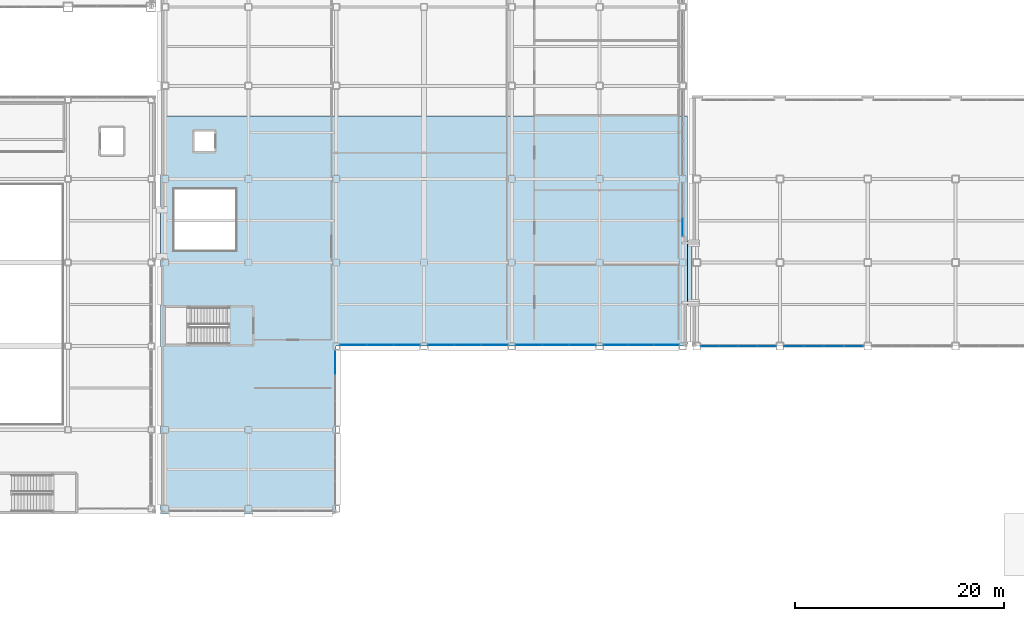
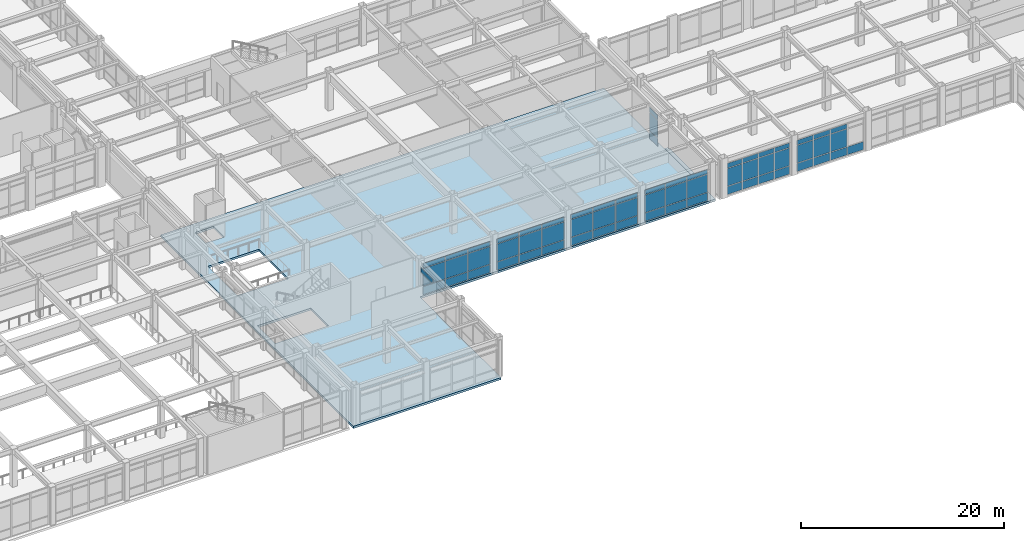
# One storey, part 127 of 172: 62 plates, 2 slabs, 8 elements without a shape of their own.
"""IFC4 building model written with IfcOpenShell, lengths in metres."""

from ifc_helpers import new_model, si_unit, direction, frame, origin, origin_2d, place, context, subcontext, project, spatial, polyline, rectangle, outline, extrude, material, layer, layer_set, type_object, element, aggregate, save


model = new_model("IFC4")

# Units and contexts
model_context = context("Model", 3, precision=1e-05, world=origin(), true_north=direction((0.0, 1.0)))
body_context = subcontext(model_context, "Body", "Model", "MODEL_VIEW")
ifc_project = project(units=[si_unit("LENGTHUNIT", "METRE"), si_unit("AREAUNIT", "SQUARE_METRE"), si_unit("VOLUMEUNIT", "CUBIC_METRE"), si_unit("PLANEANGLEUNIT", "RADIAN"), si_unit("MASSUNIT", "GRAM", prefix="KILO")], contexts=[model_context])

# Site, building, storey
site_placement = place(None, origin())
site = spatial("IfcSite", under=ifc_project, at=site_placement, CompositionType="ELEMENT")
building_placement = place(site_placement, origin())
building = spatial("IfcBuilding", under=site, at=building_placement, Name="Kazehara Bluff Congress Hotel", CompositionType="ELEMENT")
storey_placement = place(building_placement, frame((0.0, 0.0, 5.39990234375)))
storey = spatial("IfcBuildingStorey", under=building, at=storey_placement, Name="L01", CompositionType="ELEMENT", Elevation=5.39990234375)

# Curtain wall, plates
ifc_material_1 = material(Name="Anodised aluminium", Category="aluminium")
ifc_layer_1 = layer(ifc_material_1, 0.159912109375)
ifc_layer_set_1 = layer_set([ifc_layer_1], Name="Anodised aluminium")
curtain_wall_type_1 = type_object("IfcCurtainWallType", Name="TP-CW-53", PredefinedType="NOTDEFINED", material=ifc_layer_set_1)
curtain_wall_1_placement = place(storey_placement, origin())
curtain_wall_1 = element("IfcCurtainWall", 1, at=curtain_wall_1_placement, inside=storey, type_object=curtain_wall_type_1, Name="L01 curtain wall CW-53 CW-V4-L01-X10920-2650", PredefinedType="NOTDEFINED")
ifc_material_2 = material(Name="Insulated low-E double glazing", Category="glass")
ifc_layer_2 = layer(ifc_material_2, 0.028076171875)
ifc_layer_set_2 = layer_set([ifc_layer_2], Name="Insulated low-E double glazing")
plate_type = type_object("IfcPlateType", Name="TP-CWP-01", PredefinedType="CURTAIN_PANEL", material=ifc_layer_set_2)
plate_1_placement = place(storey_placement, frame((109.199951171875, 27.37744140625, 0.06005859375), z_axis=(0.0, 0.0, 1.0), x_axis=(0.0, 1.0, 0.0)))
plate_1 = element("IfcPlate", 2, at=plate_1_placement, type_object=plate_type, Name="CW-53 panel 1.1", PredefinedType="CURTAIN_PANEL", context=body_context, shape_type="SweptSolid", body=[
    extrude(rectangle(XDim=1.635009765625, YDim=0.028076171875, at=origin_2d()), origin(), (0.0, 0.0, 1.0), 0.9599609375),
])
plate_2_placement = place(storey_placement, frame((109.199951171875, 27.37744140625, 1.080078125), z_axis=(0.0, 0.0, 1.0), x_axis=(0.0, 1.0, 0.0)))
plate_2 = element("IfcPlate", 3, at=plate_2_placement, type_object=plate_type, Name="CW-53 panel 1.2", PredefinedType="CURTAIN_PANEL", context=body_context, shape_type="SweptSolid", body=[
    extrude(rectangle(XDim=1.635009765625, YDim=0.028076171875, at=origin_2d()), origin(), (0.0, 0.0, 1.0), 2.114990234375),
])
plate_3_placement = place(storey_placement, frame((109.199951171875, 27.37744140625, 3.255126953125), z_axis=(0.0, 0.0, 1.0), x_axis=(0.0, 1.0, 0.0)))
plate_3 = element("IfcPlate", 4, at=plate_3_placement, type_object=plate_type, Name="CW-53 panel 1.3", PredefinedType="CURTAIN_PANEL", context=body_context, shape_type="SweptSolid", body=[
    extrude(rectangle(XDim=1.635009765625, YDim=0.028076171875, at=origin_2d()), origin(), (0.0, 0.0, 1.0), 0.56005859375),
])
aggregate(curtain_wall_1, [plate_1, plate_2, plate_3])

ifc_material_3 = material(Name="Anodised aluminium", Category="aluminium")
ifc_layer_3 = layer(ifc_material_3, 0.159912109375)
ifc_layer_set_3 = layer_set([ifc_layer_3], Name="Anodised aluminium")
curtain_wall_type_2 = type_object("IfcCurtainWallType", Name="TP-CW-78", PredefinedType="NOTDEFINED", material=ifc_layer_set_3)
curtain_wall_2_placement = place(storey_placement, origin())
curtain_wall_2 = element("IfcCurtainWall", 5, at=curtain_wall_2_placement, inside=storey, type_object=curtain_wall_type_2, Name="L01 curtain wall CW-78 CW-V5-L01-Y1600-11090", PredefinedType="NOTDEFINED")
plate_4_placement = place(storey_placement, frame((111.822509765625, 16.0, 0.06494140625), z_axis=(0.0, 0.0, 1.0), x_axis=(1.0, 0.0, 0.0)))
plate_4 = element("IfcPlate", 6, at=plate_4_placement, type_object=plate_type, Name="CW-78 panel 1.1", PredefinedType="CURTAIN_PANEL", context=body_context, shape_type="SweptSolid", body=[
    extrude(rectangle(XDim=1.715087890625, YDim=0.028076171875, at=origin_2d()), origin(), (0.0, 0.0, 1.0), 0.952392578125),
])
plate_5_placement = place(storey_placement, frame((111.822509765625, 16.0, 1.08251953125), z_axis=(0.0, 0.0, 1.0), x_axis=(1.0, 0.0, 0.0)))
plate_5 = element("IfcPlate", 7, at=plate_5_placement, type_object=plate_type, Name="CW-78 panel 1.2", PredefinedType="CURTAIN_PANEL", context=body_context, shape_type="SweptSolid", body=[
    extrude(rectangle(XDim=1.715087890625, YDim=0.028076171875, at=origin_2d()), origin(), (0.0, 0.0, 1.0), 2.110107421875),
])
plate_6_placement = place(storey_placement, frame((111.822509765625, 16.0, 3.2578125), z_axis=(0.0, 0.0, 1.0), x_axis=(1.0, 0.0, 0.0)))
plate_6 = element("IfcPlate", 8, at=plate_6_placement, type_object=plate_type, Name="CW-78 panel 1.3", PredefinedType="CURTAIN_PANEL", context=body_context, shape_type="SweptSolid", body=[
    extrude(rectangle(XDim=1.715087890625, YDim=0.028076171875, at=origin_2d()), origin(), (0.0, 0.0, 1.0), 0.552490234375),
])
plate_7_placement = place(storey_placement, frame((113.61865234375, 16.0, 0.06494140625), z_axis=(0.0, 0.0, 1.0), x_axis=(1.0, 0.0, 0.0)))
plate_7 = element("IfcPlate", 9, at=plate_7_placement, type_object=plate_type, Name="CW-78 panel 2.1", PredefinedType="CURTAIN_PANEL", context=body_context, shape_type="SweptSolid", body=[
    extrude(rectangle(XDim=1.74755859375, YDim=0.028076171875, at=origin_2d()), origin(), (0.0, 0.0, 1.0), 0.952392578125),
])
plate_8_placement = place(storey_placement, frame((113.61865234375, 16.0, 1.08251953125), z_axis=(0.0, 0.0, 1.0), x_axis=(1.0, 0.0, 0.0)))
plate_8 = element("IfcPlate", 10, at=plate_8_placement, type_object=plate_type, Name="CW-78 panel 2.2", PredefinedType="CURTAIN_PANEL", context=body_context, shape_type="SweptSolid", body=[
    extrude(rectangle(XDim=1.74755859375, YDim=0.028076171875, at=origin_2d()), origin(), (0.0, 0.0, 1.0), 2.110107421875),
])
plate_9_placement = place(storey_placement, frame((113.61865234375, 16.0, 3.2578125), z_axis=(0.0, 0.0, 1.0), x_axis=(1.0, 0.0, 0.0)))
plate_9 = element("IfcPlate", 11, at=plate_9_placement, type_object=plate_type, Name="CW-78 panel 2.3", PredefinedType="CURTAIN_PANEL", context=body_context, shape_type="SweptSolid", body=[
    extrude(rectangle(XDim=1.74755859375, YDim=0.028076171875, at=origin_2d()), origin(), (0.0, 0.0, 1.0), 0.552490234375),
])
plate_10_placement = place(storey_placement, frame((115.43115234375, 16.0, 0.06494140625), z_axis=(0.0, 0.0, 1.0), x_axis=(1.0, 0.0, 0.0)))
plate_10 = element("IfcPlate", 12, at=plate_10_placement, type_object=plate_type, Name="CW-78 panel 3.1", PredefinedType="CURTAIN_PANEL", context=body_context, shape_type="SweptSolid", body=[
    extrude(rectangle(XDim=1.74755859375, YDim=0.028076171875, at=origin_2d()), origin(), (0.0, 0.0, 1.0), 0.952392578125),
])
plate_11_placement = place(storey_placement, frame((115.43115234375, 16.0, 1.08251953125), z_axis=(0.0, 0.0, 1.0), x_axis=(1.0, 0.0, 0.0)))
plate_11 = element("IfcPlate", 13, at=plate_11_placement, type_object=plate_type, Name="CW-78 panel 3.2", PredefinedType="CURTAIN_PANEL", context=body_context, shape_type="SweptSolid", body=[
    extrude(rectangle(XDim=1.74755859375, YDim=0.028076171875, at=origin_2d()), origin(), (0.0, 0.0, 1.0), 2.110107421875),
])
plate_12_placement = place(storey_placement, frame((115.43115234375, 16.0, 3.2578125), z_axis=(0.0, 0.0, 1.0), x_axis=(1.0, 0.0, 0.0)))
plate_12 = element("IfcPlate", 14, at=plate_12_placement, type_object=plate_type, Name="CW-78 panel 3.3", PredefinedType="CURTAIN_PANEL", context=body_context, shape_type="SweptSolid", body=[
    extrude(rectangle(XDim=1.74755859375, YDim=0.028076171875, at=origin_2d()), origin(), (0.0, 0.0, 1.0), 0.552490234375),
])
plate_13_placement = place(storey_placement, frame((117.2275390625, 16.0, 0.06494140625), z_axis=(0.0, 0.0, 1.0), x_axis=(1.0, 0.0, 0.0)))
plate_13 = element("IfcPlate", 15, at=plate_13_placement, type_object=plate_type, Name="CW-78 panel 4.1", PredefinedType="CURTAIN_PANEL", context=body_context, shape_type="SweptSolid", body=[
    extrude(rectangle(XDim=1.715087890625, YDim=0.028076171875, at=origin_2d()), origin(), (0.0, 0.0, 1.0), 0.952392578125),
])
plate_14_placement = place(storey_placement, frame((117.2275390625, 16.0, 1.08251953125), z_axis=(0.0, 0.0, 1.0), x_axis=(1.0, 0.0, 0.0)))
plate_14 = element("IfcPlate", 16, at=plate_14_placement, type_object=plate_type, Name="CW-78 panel 4.2", PredefinedType="CURTAIN_PANEL", context=body_context, shape_type="SweptSolid", body=[
    extrude(rectangle(XDim=1.715087890625, YDim=0.028076171875, at=origin_2d()), origin(), (0.0, 0.0, 1.0), 2.110107421875),
])
plate_15_placement = place(storey_placement, frame((117.2275390625, 16.0, 3.2578125), z_axis=(0.0, 0.0, 1.0), x_axis=(1.0, 0.0, 0.0)))
plate_15 = element("IfcPlate", 17, at=plate_15_placement, type_object=plate_type, Name="CW-78 panel 4.3", PredefinedType="CURTAIN_PANEL", context=body_context, shape_type="SweptSolid", body=[
    extrude(rectangle(XDim=1.715087890625, YDim=0.028076171875, at=origin_2d()), origin(), (0.0, 0.0, 1.0), 0.552490234375),
])
aggregate(curtain_wall_2, [plate_4, plate_5, plate_6, plate_7, plate_8, plate_9, plate_10, plate_11, plate_12, plate_13, plate_14, plate_15])

ifc_material_4 = material(Name="Anodised aluminium", Category="aluminium")
ifc_layer_4 = layer(ifc_material_4, 0.159912109375)
ifc_layer_set_4 = layer_set([ifc_layer_4], Name="Anodised aluminium")
curtain_wall_type_3 = type_object("IfcCurtainWallType", Name="TP-CW-79", PredefinedType="NOTDEFINED", material=ifc_layer_set_4)
curtain_wall_3_placement = place(storey_placement, origin())
curtain_wall_3 = element("IfcCurtainWall", 18, at=curtain_wall_3_placement, inside=storey, type_object=curtain_wall_type_3, Name="L01 curtain wall CW-79 CW-V5-L01-Y1600-11885", PredefinedType="NOTDEFINED")
plate_16_placement = place(storey_placement, frame((119.828857421875, 16.0, 0.06494140625), z_axis=(0.0, 0.0, 1.0), x_axis=(1.0, 0.0, 0.0)))
plate_16 = element("IfcPlate", 19, at=plate_16_placement, type_object=plate_type, Name="CW-79 panel 1.1", PredefinedType="CURTAIN_PANEL", context=body_context, shape_type="SweptSolid", body=[
    extrude(rectangle(XDim=1.827392578125, YDim=0.028076171875, at=origin_2d()), origin(), (0.0, 0.0, 1.0), 0.952392578125),
])
plate_17_placement = place(storey_placement, frame((119.828857421875, 16.0, 1.08251953125), z_axis=(0.0, 0.0, 1.0), x_axis=(1.0, 0.0, 0.0)))
plate_17 = element("IfcPlate", 20, at=plate_17_placement, type_object=plate_type, Name="CW-79 panel 1.2", PredefinedType="CURTAIN_PANEL", context=body_context, shape_type="SweptSolid", body=[
    extrude(rectangle(XDim=1.827392578125, YDim=0.028076171875, at=origin_2d()), origin(), (0.0, 0.0, 1.0), 2.110107421875),
])
plate_18_placement = place(storey_placement, frame((119.828857421875, 16.0, 3.2578125), z_axis=(0.0, 0.0, 1.0), x_axis=(1.0, 0.0, 0.0)))
plate_18 = element("IfcPlate", 21, at=plate_18_placement, type_object=plate_type, Name="CW-79 panel 1.3", PredefinedType="CURTAIN_PANEL", context=body_context, shape_type="SweptSolid", body=[
    extrude(rectangle(XDim=1.827392578125, YDim=0.028076171875, at=origin_2d()), origin(), (0.0, 0.0, 1.0), 0.552490234375),
])
plate_19_placement = place(storey_placement, frame((121.737548828125, 16.0, 0.06494140625), z_axis=(0.0, 0.0, 1.0), x_axis=(1.0, 0.0, 0.0)))
plate_19 = element("IfcPlate", 22, at=plate_19_placement, type_object=plate_type, Name="CW-79 panel 2.1", PredefinedType="CURTAIN_PANEL", context=body_context, shape_type="SweptSolid", body=[
    extrude(rectangle(XDim=1.860107421875, YDim=0.028076171875, at=origin_2d()), origin(), (0.0, 0.0, 1.0), 0.952392578125),
])
plate_20_placement = place(storey_placement, frame((121.737548828125, 16.0, 1.08251953125), z_axis=(0.0, 0.0, 1.0), x_axis=(1.0, 0.0, 0.0)))
plate_20 = element("IfcPlate", 23, at=plate_20_placement, type_object=plate_type, Name="CW-79 panel 2.2", PredefinedType="CURTAIN_PANEL", context=body_context, shape_type="SweptSolid", body=[
    extrude(rectangle(XDim=1.860107421875, YDim=0.028076171875, at=origin_2d()), origin(), (0.0, 0.0, 1.0), 2.110107421875),
])
plate_21_placement = place(storey_placement, frame((121.737548828125, 16.0, 3.2578125), z_axis=(0.0, 0.0, 1.0), x_axis=(1.0, 0.0, 0.0)))
plate_21 = element("IfcPlate", 24, at=plate_21_placement, type_object=plate_type, Name="CW-79 panel 2.3", PredefinedType="CURTAIN_PANEL", context=body_context, shape_type="SweptSolid", body=[
    extrude(rectangle(XDim=1.860107421875, YDim=0.028076171875, at=origin_2d()), origin(), (0.0, 0.0, 1.0), 0.552490234375),
])
plate_22_placement = place(storey_placement, frame((123.66259765625, 16.0, 0.06494140625), z_axis=(0.0, 0.0, 1.0), x_axis=(1.0, 0.0, 0.0)))
plate_22 = element("IfcPlate", 25, at=plate_22_placement, type_object=plate_type, Name="CW-79 panel 3.1", PredefinedType="CURTAIN_PANEL", context=body_context, shape_type="SweptSolid", body=[
    extrude(rectangle(XDim=1.860107421875, YDim=0.028076171875, at=origin_2d()), origin(), (0.0, 0.0, 1.0), 0.952392578125),
])
plate_23_placement = place(storey_placement, frame((123.66259765625, 16.0, 1.08251953125), z_axis=(0.0, 0.0, 1.0), x_axis=(1.0, 0.0, 0.0)))
plate_23 = element("IfcPlate", 26, at=plate_23_placement, type_object=plate_type, Name="CW-79 panel 3.2", PredefinedType="CURTAIN_PANEL", context=body_context, shape_type="SweptSolid", body=[
    extrude(rectangle(XDim=1.860107421875, YDim=0.028076171875, at=origin_2d()), origin(), (0.0, 0.0, 1.0), 2.110107421875),
])
plate_24_placement = place(storey_placement, frame((123.66259765625, 16.0, 3.2578125), z_axis=(0.0, 0.0, 1.0), x_axis=(1.0, 0.0, 0.0)))
plate_24 = element("IfcPlate", 27, at=plate_24_placement, type_object=plate_type, Name="CW-79 panel 3.3", PredefinedType="CURTAIN_PANEL", context=body_context, shape_type="SweptSolid", body=[
    extrude(rectangle(XDim=1.860107421875, YDim=0.028076171875, at=origin_2d()), origin(), (0.0, 0.0, 1.0), 0.552490234375),
])
plate_25_placement = place(storey_placement, frame((125.5712890625, 16.0, 0.06494140625), z_axis=(0.0, 0.0, 1.0), x_axis=(1.0, 0.0, 0.0)))
plate_25 = element("IfcPlate", 28, at=plate_25_placement, type_object=plate_type, Name="CW-79 panel 4.1", PredefinedType="CURTAIN_PANEL", context=body_context, shape_type="SweptSolid", body=[
    extrude(rectangle(XDim=1.827392578125, YDim=0.028076171875, at=origin_2d()), origin(), (0.0, 0.0, 1.0), 0.952392578125),
])
aggregate(curtain_wall_3, [plate_16, plate_17, plate_18, plate_19, plate_20, plate_21, plate_22, plate_23, plate_24, plate_25])

# Curtain wall, plate
ifc_material_5 = material(Name="Anodised aluminium", Category="aluminium")
ifc_layer_5 = layer(ifc_material_5, 0.159912109375)
ifc_layer_set_5 = layer_set([ifc_layer_5], Name="Anodised aluminium")
curtain_wall_type_4 = type_object("IfcCurtainWallType", Name="TP-CW-56", PredefinedType="NOTDEFINED", material=ifc_layer_set_5)
curtain_wall_4_placement = place(storey_placement, origin())
curtain_wall_4 = element("IfcCurtainWall", 29, at=curtain_wall_4_placement, inside=storey, type_object=curtain_wall_type_4, Name="L01 curtain wall CW-56 CW-ENC-V4-L01-7595-1200", PredefinedType="NOTDEFINED")
plate_26_placement = place(storey_placement, frame((75.949951171875, 14.433837890625, 3.2578125), z_axis=(0.0, 0.0, 1.0), x_axis=(0.0, -1.0, 0.0)))
plate_26 = element("IfcPlate", 30, at=plate_26_placement, type_object=plate_type, Name="CW-56 panel 1.3", PredefinedType="CURTAIN_PANEL", context=body_context, shape_type="SweptSolid", body=[
    extrude(rectangle(XDim=2.3525390625, YDim=0.028076171875, at=origin_2d()), origin(), (0.0, 0.0, 1.0), 0.552490234375),
])
aggregate(curtain_wall_4, [plate_26])

# Curtain wall, plates
ifc_material_6 = material(Name="Anodised aluminium", Category="aluminium")
ifc_layer_6 = layer(ifc_material_6, 0.159912109375)
ifc_layer_set_6 = layer_set([ifc_layer_6], Name="Anodised aluminium")
curtain_wall_type_5 = type_object("IfcCurtainWallType", Name="TP-CW-24", PredefinedType="NOTDEFINED", material=ifc_layer_set_6)
curtain_wall_5_placement = place(storey_placement, origin())
curtain_wall_5 = element("IfcCurtainWall", 31, at=curtain_wall_5_placement, inside=storey, type_object=curtain_wall_type_5, Name="L01 curtain wall CW-24 CW-ENC-V4-L01-8025-1610", PredefinedType="NOTDEFINED")
plate_27_placement = place(storey_placement, frame((82.817138671875, 16.10009765625, 0.06494140625), z_axis=(0.0, 0.0, 1.0), x_axis=(-1.0, 0.0, 0.0)))
plate_27 = element("IfcPlate", 32, at=plate_27_placement, type_object=plate_type, Name="CW-24 panel 1.1", PredefinedType="CURTAIN_PANEL", context=body_context, shape_type="SweptSolid", body=[
    extrude(rectangle(XDim=2.48583984375, YDim=0.028076171875, at=origin_2d()), origin(), (0.0, 0.0, 1.0), 0.952392578125),
])
plate_28_placement = place(storey_placement, frame((82.817138671875, 16.10009765625, 1.08251953125), z_axis=(0.0, 0.0, 1.0), x_axis=(-1.0, 0.0, 0.0)))
plate_28 = element("IfcPlate", 33, at=plate_28_placement, type_object=plate_type, Name="CW-24 panel 1.2", PredefinedType="CURTAIN_PANEL", context=body_context, shape_type="SweptSolid", body=[
    extrude(rectangle(XDim=2.48583984375, YDim=0.028076171875, at=origin_2d()), origin(), (0.0, 0.0, 1.0), 2.110107421875),
])
plate_29_placement = place(storey_placement, frame((82.817138671875, 16.10009765625, 3.2578125), z_axis=(0.0, 0.0, 1.0), x_axis=(-1.0, 0.0, 0.0)))
plate_29 = element("IfcPlate", 34, at=plate_29_placement, type_object=plate_type, Name="CW-24 panel 1.3", PredefinedType="CURTAIN_PANEL", context=body_context, shape_type="SweptSolid", body=[
    extrude(rectangle(XDim=2.48583984375, YDim=0.028076171875, at=origin_2d()), origin(), (0.0, 0.0, 1.0), 0.552490234375),
])
plate_30_placement = place(storey_placement, frame((80.25, 16.10009765625, 0.06494140625), z_axis=(0.0, 0.0, 1.0), x_axis=(-1.0, 0.0, 0.0)))
plate_30 = element("IfcPlate", 35, at=plate_30_placement, type_object=plate_type, Name="CW-24 panel 2.1", PredefinedType="CURTAIN_PANEL", context=body_context, shape_type="SweptSolid", body=[
    extrude(rectangle(XDim=2.518310546875, YDim=0.028076171875, at=origin_2d()), origin(), (0.0, 0.0, 1.0), 0.952392578125),
])
plate_31_placement = place(storey_placement, frame((80.25, 16.10009765625, 1.08251953125), z_axis=(0.0, 0.0, 1.0), x_axis=(-1.0, 0.0, 0.0)))
plate_31 = element("IfcPlate", 36, at=plate_31_placement, type_object=plate_type, Name="CW-24 panel 2.2", PredefinedType="CURTAIN_PANEL", context=body_context, shape_type="SweptSolid", body=[
    extrude(rectangle(XDim=2.518310546875, YDim=0.028076171875, at=origin_2d()), origin(), (0.0, 0.0, 1.0), 2.110107421875),
])
plate_32_placement = place(storey_placement, frame((80.25, 16.10009765625, 3.2578125), z_axis=(0.0, 0.0, 1.0), x_axis=(-1.0, 0.0, 0.0)))
plate_32 = element("IfcPlate", 37, at=plate_32_placement, type_object=plate_type, Name="CW-24 panel 2.3", PredefinedType="CURTAIN_PANEL", context=body_context, shape_type="SweptSolid", body=[
    extrude(rectangle(XDim=2.518310546875, YDim=0.028076171875, at=origin_2d()), origin(), (0.0, 0.0, 1.0), 0.552490234375),
])
plate_33_placement = place(storey_placement, frame((77.682861328125, 16.10009765625, 0.06494140625), z_axis=(0.0, 0.0, 1.0), x_axis=(-1.0, 0.0, 0.0)))
plate_33 = element("IfcPlate", 38, at=plate_33_placement, type_object=plate_type, Name="CW-24 panel 3.1", PredefinedType="CURTAIN_PANEL", context=body_context, shape_type="SweptSolid", body=[
    extrude(rectangle(XDim=2.48583984375, YDim=0.028076171875, at=origin_2d()), origin(), (0.0, 0.0, 1.0), 0.952392578125),
])
plate_34_placement = place(storey_placement, frame((77.682861328125, 16.10009765625, 1.08251953125), z_axis=(0.0, 0.0, 1.0), x_axis=(-1.0, 0.0, 0.0)))
plate_34 = element("IfcPlate", 39, at=plate_34_placement, type_object=plate_type, Name="CW-24 panel 3.2", PredefinedType="CURTAIN_PANEL", context=body_context, shape_type="SweptSolid", body=[
    extrude(rectangle(XDim=2.48583984375, YDim=0.028076171875, at=origin_2d()), origin(), (0.0, 0.0, 1.0), 2.110107421875),
])
plate_35_placement = place(storey_placement, frame((77.682861328125, 16.10009765625, 3.2578125), z_axis=(0.0, 0.0, 1.0), x_axis=(-1.0, 0.0, 0.0)))
plate_35 = element("IfcPlate", 40, at=plate_35_placement, type_object=plate_type, Name="CW-24 panel 3.3", PredefinedType="CURTAIN_PANEL", context=body_context, shape_type="SweptSolid", body=[
    extrude(rectangle(XDim=2.48583984375, YDim=0.028076171875, at=origin_2d()), origin(), (0.0, 0.0, 1.0), 0.552490234375),
])
aggregate(curtain_wall_5, [plate_27, plate_28, plate_29, plate_30, plate_31, plate_32, plate_33, plate_34, plate_35])

curtain_wall_6_placement = place(storey_placement, origin())
curtain_wall_6 = element("IfcCurtainWall", 41, at=curtain_wall_6_placement, inside=storey, type_object=curtain_wall_type_5, Name="L01 curtain wall CW-24 CW-ENC-V4-L01-8865-1610", PredefinedType="NOTDEFINED")
plate_36_placement = place(storey_placement, frame((91.217041015625, 16.10009765625, 0.06494140625), z_axis=(0.0, 0.0, 1.0), x_axis=(-1.0, 0.0, 0.0)))
plate_36 = element("IfcPlate", 42, at=plate_36_placement, type_object=plate_type, Name="CW-24 panel 1.1", PredefinedType="CURTAIN_PANEL", context=body_context, shape_type="SweptSolid", body=[
    extrude(rectangle(XDim=2.48583984375, YDim=0.028076171875, at=origin_2d()), origin(), (0.0, 0.0, 1.0), 0.952392578125),
])
plate_37_placement = place(storey_placement, frame((91.217041015625, 16.10009765625, 1.08251953125), z_axis=(0.0, 0.0, 1.0), x_axis=(-1.0, 0.0, 0.0)))
plate_37 = element("IfcPlate", 43, at=plate_37_placement, type_object=plate_type, Name="CW-24 panel 1.2", PredefinedType="CURTAIN_PANEL", context=body_context, shape_type="SweptSolid", body=[
    extrude(rectangle(XDim=2.48583984375, YDim=0.028076171875, at=origin_2d()), origin(), (0.0, 0.0, 1.0), 2.110107421875),
])
plate_38_placement = place(storey_placement, frame((91.217041015625, 16.10009765625, 3.2578125), z_axis=(0.0, 0.0, 1.0), x_axis=(-1.0, 0.0, 0.0)))
plate_38 = element("IfcPlate", 44, at=plate_38_placement, type_object=plate_type, Name="CW-24 panel 1.3", PredefinedType="CURTAIN_PANEL", context=body_context, shape_type="SweptSolid", body=[
    extrude(rectangle(XDim=2.48583984375, YDim=0.028076171875, at=origin_2d()), origin(), (0.0, 0.0, 1.0), 0.552490234375),
])
plate_39_placement = place(storey_placement, frame((88.64990234375, 16.10009765625, 0.06494140625), z_axis=(0.0, 0.0, 1.0), x_axis=(-1.0, 0.0, 0.0)))
plate_39 = element("IfcPlate", 45, at=plate_39_placement, type_object=plate_type, Name="CW-24 panel 2.1", PredefinedType="CURTAIN_PANEL", context=body_context, shape_type="SweptSolid", body=[
    extrude(rectangle(XDim=2.518310546875, YDim=0.028076171875, at=origin_2d()), origin(), (0.0, 0.0, 1.0), 0.952392578125),
])
plate_40_placement = place(storey_placement, frame((88.64990234375, 16.10009765625, 1.08251953125), z_axis=(0.0, 0.0, 1.0), x_axis=(-1.0, 0.0, 0.0)))
plate_40 = element("IfcPlate", 46, at=plate_40_placement, type_object=plate_type, Name="CW-24 panel 2.2", PredefinedType="CURTAIN_PANEL", context=body_context, shape_type="SweptSolid", body=[
    extrude(rectangle(XDim=2.518310546875, YDim=0.028076171875, at=origin_2d()), origin(), (0.0, 0.0, 1.0), 2.110107421875),
])
plate_41_placement = place(storey_placement, frame((88.64990234375, 16.10009765625, 3.2578125), z_axis=(0.0, 0.0, 1.0), x_axis=(-1.0, 0.0, 0.0)))
plate_41 = element("IfcPlate", 47, at=plate_41_placement, type_object=plate_type, Name="CW-24 panel 2.3", PredefinedType="CURTAIN_PANEL", context=body_context, shape_type="SweptSolid", body=[
    extrude(rectangle(XDim=2.518310546875, YDim=0.028076171875, at=origin_2d()), origin(), (0.0, 0.0, 1.0), 0.552490234375),
])
plate_42_placement = place(storey_placement, frame((86.0830078125, 16.10009765625, 0.06494140625), z_axis=(0.0, 0.0, 1.0), x_axis=(-1.0, 0.0, 0.0)))
plate_42 = element("IfcPlate", 48, at=plate_42_placement, type_object=plate_type, Name="CW-24 panel 3.1", PredefinedType="CURTAIN_PANEL", context=body_context, shape_type="SweptSolid", body=[
    extrude(rectangle(XDim=2.48583984375, YDim=0.028076171875, at=origin_2d()), origin(), (0.0, 0.0, 1.0), 0.952392578125),
])
plate_43_placement = place(storey_placement, frame((86.0830078125, 16.10009765625, 1.08251953125), z_axis=(0.0, 0.0, 1.0), x_axis=(-1.0, 0.0, 0.0)))
plate_43 = element("IfcPlate", 49, at=plate_43_placement, type_object=plate_type, Name="CW-24 panel 3.2", PredefinedType="CURTAIN_PANEL", context=body_context, shape_type="SweptSolid", body=[
    extrude(rectangle(XDim=2.48583984375, YDim=0.028076171875, at=origin_2d()), origin(), (0.0, 0.0, 1.0), 2.110107421875),
])
plate_44_placement = place(storey_placement, frame((86.0830078125, 16.10009765625, 3.2578125), z_axis=(0.0, 0.0, 1.0), x_axis=(-1.0, 0.0, 0.0)))
plate_44 = element("IfcPlate", 50, at=plate_44_placement, type_object=plate_type, Name="CW-24 panel 3.3", PredefinedType="CURTAIN_PANEL", context=body_context, shape_type="SweptSolid", body=[
    extrude(rectangle(XDim=2.48583984375, YDim=0.028076171875, at=origin_2d()), origin(), (0.0, 0.0, 1.0), 0.552490234375),
])
aggregate(curtain_wall_6, [plate_36, plate_37, plate_38, plate_39, plate_40, plate_41, plate_42, plate_43, plate_44])

curtain_wall_7_placement = place(storey_placement, origin())
curtain_wall_7 = element("IfcCurtainWall", 51, at=curtain_wall_7_placement, inside=storey, type_object=curtain_wall_type_5, Name="L01 curtain wall CW-24 CW-ENC-V4-L01-9705-1610", PredefinedType="NOTDEFINED")
plate_45_placement = place(storey_placement, frame((99.6171875, 16.10009765625, 0.06494140625), z_axis=(0.0, 0.0, 1.0), x_axis=(-1.0, 0.0, 0.0)))
plate_45 = element("IfcPlate", 52, at=plate_45_placement, type_object=plate_type, Name="CW-24 panel 1.1", PredefinedType="CURTAIN_PANEL", context=body_context, shape_type="SweptSolid", body=[
    extrude(rectangle(XDim=2.48583984375, YDim=0.028076171875, at=origin_2d()), origin(), (0.0, 0.0, 1.0), 0.952392578125),
])
plate_46_placement = place(storey_placement, frame((99.6171875, 16.10009765625, 1.08251953125), z_axis=(0.0, 0.0, 1.0), x_axis=(-1.0, 0.0, 0.0)))
plate_46 = element("IfcPlate", 53, at=plate_46_placement, type_object=plate_type, Name="CW-24 panel 1.2", PredefinedType="CURTAIN_PANEL", context=body_context, shape_type="SweptSolid", body=[
    extrude(rectangle(XDim=2.48583984375, YDim=0.028076171875, at=origin_2d()), origin(), (0.0, 0.0, 1.0), 2.110107421875),
])
plate_47_placement = place(storey_placement, frame((99.6171875, 16.10009765625, 3.2578125), z_axis=(0.0, 0.0, 1.0), x_axis=(-1.0, 0.0, 0.0)))
plate_47 = element("IfcPlate", 54, at=plate_47_placement, type_object=plate_type, Name="CW-24 panel 1.3", PredefinedType="CURTAIN_PANEL", context=body_context, shape_type="SweptSolid", body=[
    extrude(rectangle(XDim=2.48583984375, YDim=0.028076171875, at=origin_2d()), origin(), (0.0, 0.0, 1.0), 0.552490234375),
])
plate_48_placement = place(storey_placement, frame((97.050048828125, 16.10009765625, 0.06494140625), z_axis=(0.0, 0.0, 1.0), x_axis=(-1.0, 0.0, 0.0)))
plate_48 = element("IfcPlate", 55, at=plate_48_placement, type_object=plate_type, Name="CW-24 panel 2.1", PredefinedType="CURTAIN_PANEL", context=body_context, shape_type="SweptSolid", body=[
    extrude(rectangle(XDim=2.518310546875, YDim=0.028076171875, at=origin_2d()), origin(), (0.0, 0.0, 1.0), 0.952392578125),
])
plate_49_placement = place(storey_placement, frame((97.050048828125, 16.10009765625, 1.08251953125), z_axis=(0.0, 0.0, 1.0), x_axis=(-1.0, 0.0, 0.0)))
plate_49 = element("IfcPlate", 56, at=plate_49_placement, type_object=plate_type, Name="CW-24 panel 2.2", PredefinedType="CURTAIN_PANEL", context=body_context, shape_type="SweptSolid", body=[
    extrude(rectangle(XDim=2.518310546875, YDim=0.028076171875, at=origin_2d()), origin(), (0.0, 0.0, 1.0), 2.110107421875),
])
plate_50_placement = place(storey_placement, frame((97.050048828125, 16.10009765625, 3.2578125), z_axis=(0.0, 0.0, 1.0), x_axis=(-1.0, 0.0, 0.0)))
plate_50 = element("IfcPlate", 57, at=plate_50_placement, type_object=plate_type, Name="CW-24 panel 2.3", PredefinedType="CURTAIN_PANEL", context=body_context, shape_type="SweptSolid", body=[
    extrude(rectangle(XDim=2.518310546875, YDim=0.028076171875, at=origin_2d()), origin(), (0.0, 0.0, 1.0), 0.552490234375),
])
plate_51_placement = place(storey_placement, frame((94.48291015625, 16.10009765625, 0.06494140625), z_axis=(0.0, 0.0, 1.0), x_axis=(-1.0, 0.0, 0.0)))
plate_51 = element("IfcPlate", 58, at=plate_51_placement, type_object=plate_type, Name="CW-24 panel 3.1", PredefinedType="CURTAIN_PANEL", context=body_context, shape_type="SweptSolid", body=[
    extrude(rectangle(XDim=2.48583984375, YDim=0.028076171875, at=origin_2d()), origin(), (0.0, 0.0, 1.0), 0.952392578125),
])
plate_52_placement = place(storey_placement, frame((94.48291015625, 16.10009765625, 1.08251953125), z_axis=(0.0, 0.0, 1.0), x_axis=(-1.0, 0.0, 0.0)))
plate_52 = element("IfcPlate", 59, at=plate_52_placement, type_object=plate_type, Name="CW-24 panel 3.2", PredefinedType="CURTAIN_PANEL", context=body_context, shape_type="SweptSolid", body=[
    extrude(rectangle(XDim=2.48583984375, YDim=0.028076171875, at=origin_2d()), origin(), (0.0, 0.0, 1.0), 2.110107421875),
])
plate_53_placement = place(storey_placement, frame((94.48291015625, 16.10009765625, 3.2578125), z_axis=(0.0, 0.0, 1.0), x_axis=(-1.0, 0.0, 0.0)))
plate_53 = element("IfcPlate", 60, at=plate_53_placement, type_object=plate_type, Name="CW-24 panel 3.3", PredefinedType="CURTAIN_PANEL", context=body_context, shape_type="SweptSolid", body=[
    extrude(rectangle(XDim=2.48583984375, YDim=0.028076171875, at=origin_2d()), origin(), (0.0, 0.0, 1.0), 0.552490234375),
])
aggregate(curtain_wall_7, [plate_45, plate_46, plate_47, plate_48, plate_49, plate_50, plate_51, plate_52, plate_53])

ifc_material_7 = material(Name="Anodised aluminium", Category="aluminium")
ifc_layer_7 = layer(ifc_material_7, 0.159912109375)
ifc_layer_set_7 = layer_set([ifc_layer_7], Name="Anodised aluminium")
curtain_wall_type_6 = type_object("IfcCurtainWallType", Name="TP-CW-80", PredefinedType="NOTDEFINED", material=ifc_layer_set_7)
curtain_wall_8_placement = place(storey_placement, origin())
curtain_wall_8 = element("IfcCurtainWall", 61, at=curtain_wall_8_placement, inside=storey, type_object=curtain_wall_type_6, Name="L01 curtain wall CW-80 CW-ENC-V4-L01-10522-1610", PredefinedType="NOTDEFINED")
plate_54_placement = place(storey_placement, frame((107.64208984375, 16.10009765625, 0.06494140625), z_axis=(0.0, 0.0, 1.0), x_axis=(-1.0, 0.0, 0.0)))
plate_54 = element("IfcPlate", 62, at=plate_54_placement, type_object=plate_type, Name="CW-80 panel 1.1", PredefinedType="CURTAIN_PANEL", context=body_context, shape_type="SweptSolid", body=[
    extrude(rectangle(XDim=2.3359375, YDim=0.028076171875, at=origin_2d()), origin(), (0.0, 0.0, 1.0), 0.952392578125),
])
plate_55_placement = place(storey_placement, frame((107.64208984375, 16.10009765625, 1.08251953125), z_axis=(0.0, 0.0, 1.0), x_axis=(-1.0, 0.0, 0.0)))
plate_55 = element("IfcPlate", 63, at=plate_55_placement, type_object=plate_type, Name="CW-80 panel 1.2", PredefinedType="CURTAIN_PANEL", context=body_context, shape_type="SweptSolid", body=[
    extrude(rectangle(XDim=2.3359375, YDim=0.028076171875, at=origin_2d()), origin(), (0.0, 0.0, 1.0), 2.110107421875),
])
plate_56_placement = place(storey_placement, frame((107.64208984375, 16.10009765625, 3.2578125), z_axis=(0.0, 0.0, 1.0), x_axis=(-1.0, 0.0, 0.0)))
plate_56 = element("IfcPlate", 64, at=plate_56_placement, type_object=plate_type, Name="CW-80 panel 1.3", PredefinedType="CURTAIN_PANEL", context=body_context, shape_type="SweptSolid", body=[
    extrude(rectangle(XDim=2.3359375, YDim=0.028076171875, at=origin_2d()), origin(), (0.0, 0.0, 1.0), 0.552490234375),
])
plate_57_placement = place(storey_placement, frame((105.22509765625, 16.10009765625, 0.06494140625), z_axis=(0.0, 0.0, 1.0), x_axis=(-1.0, 0.0, 0.0)))
plate_57 = element("IfcPlate", 65, at=plate_57_placement, type_object=plate_type, Name="CW-80 panel 2.1", PredefinedType="CURTAIN_PANEL", context=body_context, shape_type="SweptSolid", body=[
    extrude(rectangle(XDim=2.368408203125, YDim=0.028076171875, at=origin_2d()), origin(), (0.0, 0.0, 1.0), 0.952392578125),
])
plate_58_placement = place(storey_placement, frame((105.22509765625, 16.10009765625, 1.08251953125), z_axis=(0.0, 0.0, 1.0), x_axis=(-1.0, 0.0, 0.0)))
plate_58 = element("IfcPlate", 66, at=plate_58_placement, type_object=plate_type, Name="CW-80 panel 2.2", PredefinedType="CURTAIN_PANEL", context=body_context, shape_type="SweptSolid", body=[
    extrude(rectangle(XDim=2.368408203125, YDim=0.028076171875, at=origin_2d()), origin(), (0.0, 0.0, 1.0), 2.110107421875),
])
plate_59_placement = place(storey_placement, frame((105.22509765625, 16.10009765625, 3.2578125), z_axis=(0.0, 0.0, 1.0), x_axis=(-1.0, 0.0, 0.0)))
plate_59 = element("IfcPlate", 67, at=plate_59_placement, type_object=plate_type, Name="CW-80 panel 2.3", PredefinedType="CURTAIN_PANEL", context=body_context, shape_type="SweptSolid", body=[
    extrude(rectangle(XDim=2.368408203125, YDim=0.028076171875, at=origin_2d()), origin(), (0.0, 0.0, 1.0), 0.552490234375),
])
plate_60_placement = place(storey_placement, frame((102.807861328125, 16.10009765625, 0.06494140625), z_axis=(0.0, 0.0, 1.0), x_axis=(-1.0, 0.0, 0.0)))
plate_60 = element("IfcPlate", 68, at=plate_60_placement, type_object=plate_type, Name="CW-80 panel 3.1", PredefinedType="CURTAIN_PANEL", context=body_context, shape_type="SweptSolid", body=[
    extrude(rectangle(XDim=2.3359375, YDim=0.028076171875, at=origin_2d()), origin(), (0.0, 0.0, 1.0), 0.952392578125),
])
plate_61_placement = place(storey_placement, frame((102.807861328125, 16.10009765625, 1.08251953125), z_axis=(0.0, 0.0, 1.0), x_axis=(-1.0, 0.0, 0.0)))
plate_61 = element("IfcPlate", 69, at=plate_61_placement, type_object=plate_type, Name="CW-80 panel 3.2", PredefinedType="CURTAIN_PANEL", context=body_context, shape_type="SweptSolid", body=[
    extrude(rectangle(XDim=2.3359375, YDim=0.028076171875, at=origin_2d()), origin(), (0.0, 0.0, 1.0), 2.110107421875),
])
plate_62_placement = place(storey_placement, frame((102.807861328125, 16.10009765625, 3.2578125), z_axis=(0.0, 0.0, 1.0), x_axis=(-1.0, 0.0, 0.0)))
plate_62 = element("IfcPlate", 70, at=plate_62_placement, type_object=plate_type, Name="CW-80 panel 3.3", PredefinedType="CURTAIN_PANEL", context=body_context, shape_type="SweptSolid", body=[
    extrude(rectangle(XDim=2.3359375, YDim=0.028076171875, at=origin_2d()), origin(), (0.0, 0.0, 1.0), 0.552490234375),
])
aggregate(curtain_wall_8, [plate_54, plate_55, plate_56, plate_57, plate_58, plate_59, plate_60, plate_61, plate_62])

# Slabs
ifc_material_8 = material(Name="Concrete C36/45", Category="concrete")
ifc_layer_8 = layer(ifc_material_8, 0.25)
ifc_layer_set_8 = layer_set([ifc_layer_8], Name="Concrete C36/45")
slab_type = type_object("IfcSlabType", Name="TP-SL-250", PredefinedType="FLOOR", material=ifc_layer_set_8)
slab_1_placement = place(storey_placement, frame((0.0, 0.0, -0.25)))
element("IfcSlab", 71, at=slab_1_placement, inside=storey, type_object=slab_type, Name="L01 V4 composite floor slab S", PredefinedType="FLOOR", context=body_context, shape_type="SweptSolid", body=[
    extrude(outline(polyline([(109.64990234375, 16.0), (76.050048828125, 16.0), (76.050048828125, 0.0), (59.25, 0.0), (59.25, 38.0), (109.64990234375, 38.0), (109.64990234375, 16.0)]), holes=[polyline([(65.77490234375, 19.699951171875), (59.699951171875, 19.699951171875), (59.699951171875, 16.199951171875), (65.77490234375, 16.199951171875), (65.77490234375, 19.699951171875)]), polyline([(62.39990234375, 34.550048828125), (64.5, 34.550048828125), (64.5, 36.64990234375), (62.39990234375, 36.64990234375), (62.39990234375, 34.550048828125)]), polyline([(60.60009765625, 25.199951171875), (66.39990234375, 25.199951171875), (66.39990234375, 31.0), (60.60009765625, 31.0), (60.60009765625, 25.199951171875)])]), origin(), (0.0, 0.0, 1.0), 0.25),
])
slab_2_placement = place(storey_placement, frame((0.0, 0.0, -0.25)))
element("IfcSlab", 72, at=slab_2_placement, inside=storey, type_object=slab_type, Name="Seismic-joint bridge deck BRG-45 L01", PredefinedType="FLOOR", context=body_context, shape_type="SweptSolid", body=[
    extrude(outline(polyline([(109.659912109375, 20.0), (110.090087890625, 20.0), (110.090087890625, 25.60009765625), (109.989990234375, 26.0), (109.659912109375, 26.0), (109.659912109375, 20.0)])), origin(), (0.0, 0.0, 1.0), 0.25),
])

save(model, "model.ifc")
